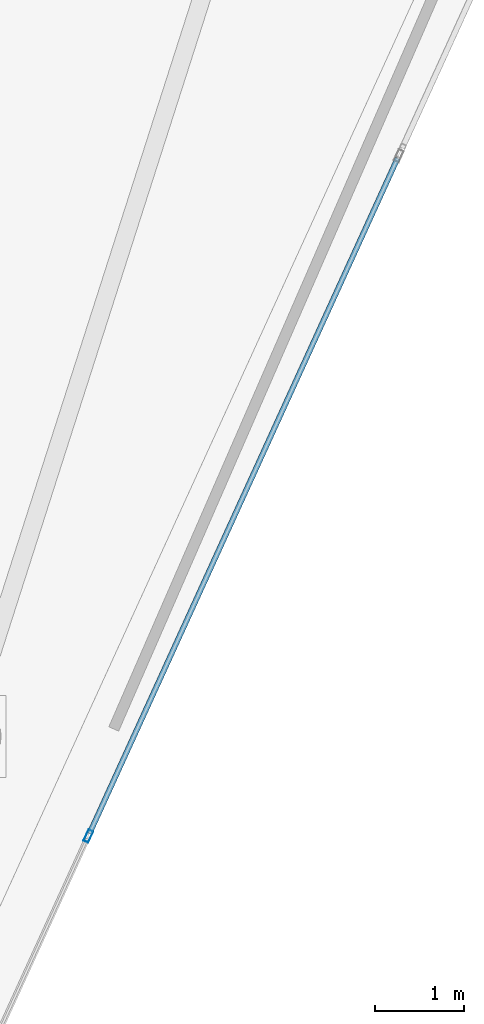
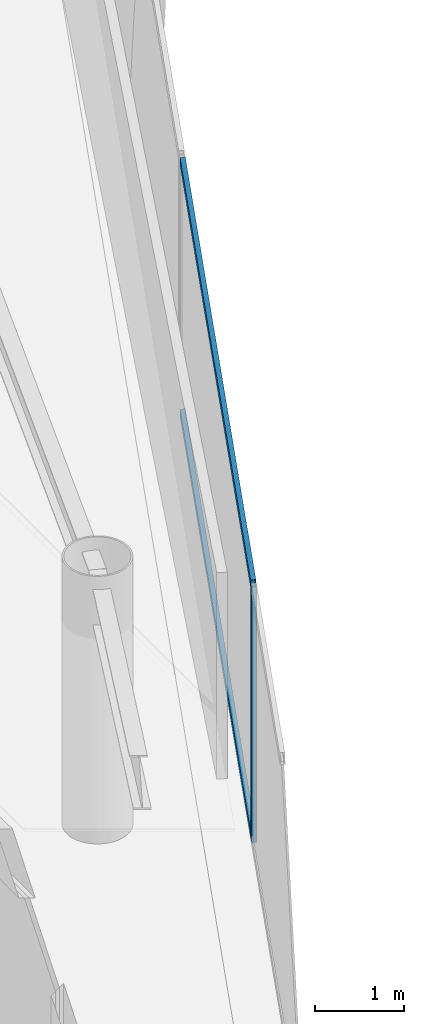
# One storey, part 10 of 19: 3 members, 1 element without a shape of its own.
"""IFC4 building model written with IfcOpenShell, lengths in metres."""

from ifc_helpers import new_model, si_unit, direction, frame, origin, origin_2d, place, context, subcontext, project, spatial, hollow_rectangle, extrude, material, layer, layer_set, material_profile, profile_set, type_object, element, aggregate, save


model = new_model("IFC4")

# Units and contexts
model_context = context("Model", 3, precision=1e-05, world=origin(), true_north=direction((0.0, 1.0)))
body_context = subcontext(model_context, "Body", "Model", "MODEL_VIEW")
ifc_project = project(units=[si_unit("LENGTHUNIT", "METRE"), si_unit("AREAUNIT", "SQUARE_METRE"), si_unit("VOLUMEUNIT", "CUBIC_METRE"), si_unit("PLANEANGLEUNIT", "RADIAN"), si_unit("MASSUNIT", "GRAM", prefix="KILO")], contexts=[model_context])

# Site, building, storey
site_placement = place(None, origin())
site = spatial("IfcSite", under=ifc_project, at=site_placement, CompositionType="ELEMENT")
building_placement = place(site_placement, origin())
building = spatial("IfcBuilding", under=site, at=building_placement, Name="Qianvela Tower", CompositionType="ELEMENT")
storey_placement = place(building_placement, frame((0.0, 0.0, 325.89990234375)))
storey = spatial("IfcBuildingStorey", under=building, at=storey_placement, Name="L84", CompositionType="ELEMENT", Elevation=325.89990234375)

# Curtain wall, members
ifc_material_1 = material(Name="Anodised Architectural Aluminium and Low-E Glass", Category="aluminium")
ifc_layer = layer(ifc_material_1, 0.14990234375)
ifc_layer_set = layer_set([ifc_layer], Name="Anodised Architectural Aluminium and Low-E Glass")
curtain_wall_type = type_object("IfcCurtainWallType", Name="CW-COLIV-Z78", PredefinedType="USERDEFINED", material=ifc_layer_set)
curtain_wall_placement = place(storey_placement, origin())
curtain_wall = element("IfcCurtainWall", 1, at=curtain_wall_placement, inside=storey, type_object=curtain_wall_type, Name="L84 CW-COLIV-Z78 Curtain Wall 06A", ObjectType="CURTAIN_WALL_SYSTEM", PredefinedType="USERDEFINED")
ifc_material_2 = material(Name="Anodised Architectural Aluminium 6063-T6", Category="aluminium")
ifc_material_profile_1 = material_profile(ifc_material_2, hollow_rectangle(XDim=0.06005859375, YDim=0.139892578125, WallThickness=0.00439453125, at=origin_2d()), Name="ALU-MULL-60x140")
ifc_profile_set_1 = profile_set([ifc_material_profile_1], Name="Anodised Architectural Aluminium 6063-T6")
member_type_1 = type_object("IfcMemberType", Name="CW-COLIV-Z78-MULL", PredefinedType="MULLION", material=ifc_profile_set_1)
member_1_placement = place(storey_placement, frame((47.479248046875, 22.57080078125, 0.0), z_axis=(0.0, 0.0, 1.0), x_axis=(-0.909766445507, 0.415120482066, 0.0)))
member_1 = element("IfcMember", 2, at=member_1_placement, type_object=member_type_1, Name="CW-6 mullion 3", PredefinedType="MULLION", context=body_context, shape_type="SweptSolid", body=[
    extrude(hollow_rectangle(XDim=0.06005859375, YDim=0.139892578125, WallThickness=0.00439453125, at=origin_2d()), origin(), (0.0, 0.0, 1.0), 3.52001953125),
])
ifc_material_3 = material(Name="Anodised Architectural Aluminium 6063-T6", Category="aluminium")
ifc_material_profile_2 = material_profile(ifc_material_3, hollow_rectangle(XDim=0.06005859375, YDim=0.114990234375, WallThickness=0.00390625, at=origin_2d()), Name="ALU-TRAN-60x115")
ifc_profile_set_2 = profile_set([ifc_material_profile_2], Name="Anodised Architectural Aluminium 6063-T6")
member_type_2 = type_object("IfcMemberType", Name="CW-COLIV-Z78-TRAN", PredefinedType="USERDEFINED", material=ifc_profile_set_2)
member_2_placement = place(storey_placement, frame((47.49169921875, 22.59814453125, 0.030029296875), z_axis=(0.415103806265, 0.909774054381, 0.0), x_axis=(-0.909774054381, 0.415103806265, 0.0)))
member_2 = element("IfcMember", 3, at=member_2_placement, type_object=member_type_2, Name="CW-6 transom 3.1", ObjectType="TRANSOM", PredefinedType="USERDEFINED", context=body_context, shape_type="SweptSolid", body=[
    extrude(hollow_rectangle(XDim=0.06005859375, YDim=0.114990234375, WallThickness=0.00390625, at=origin_2d()), origin(), (0.0, 0.0, 1.0), 8.33984375),
])
member_3_placement = place(storey_placement, frame((47.49169921875, 22.59814453125, 3.489990234375), z_axis=(0.415103806265, 0.909774054381, 0.0), x_axis=(-0.909774054381, 0.415103806265, 0.0)))
member_3 = element("IfcMember", 4, at=member_3_placement, type_object=member_type_2, Name="CW-6 transom 3.2", ObjectType="TRANSOM", PredefinedType="USERDEFINED", context=body_context, shape_type="SweptSolid", body=[
    extrude(hollow_rectangle(XDim=0.06005859375, YDim=0.114990234375, WallThickness=0.00390625, at=origin_2d()), origin(), (0.0, 0.0, 1.0), 8.33984375),
])
aggregate(curtain_wall, [member_1, member_2, member_3])

save(model, "model.ifc")
